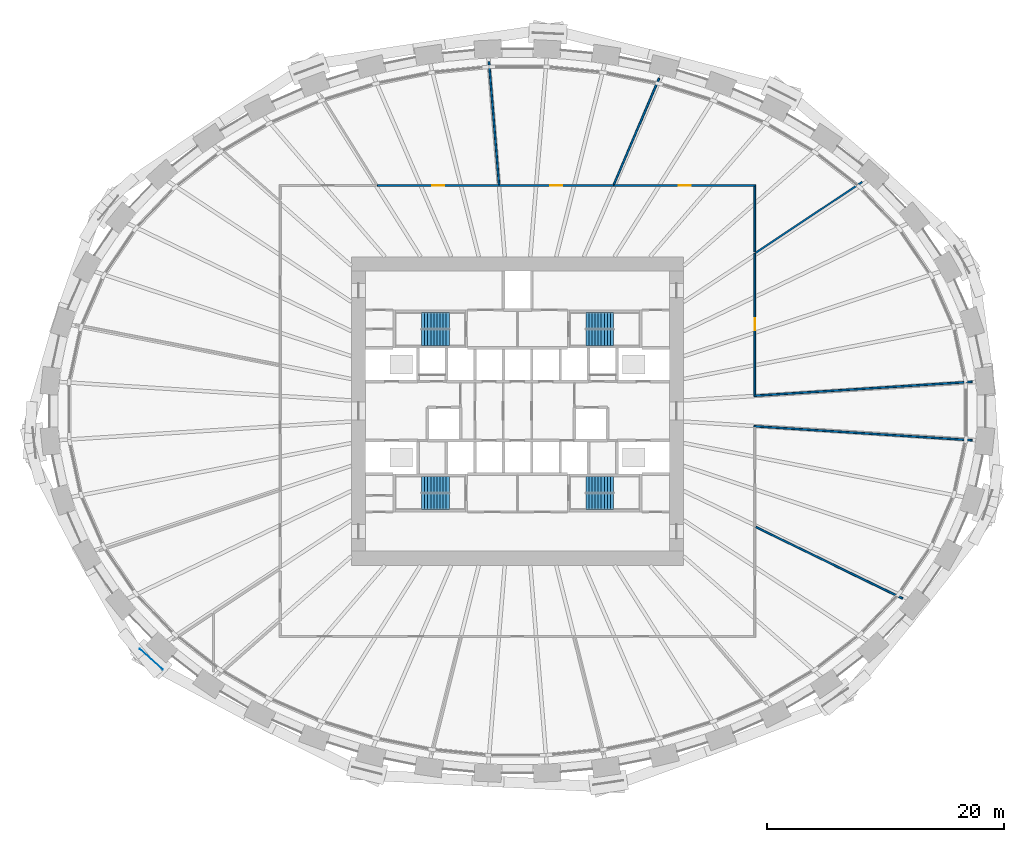
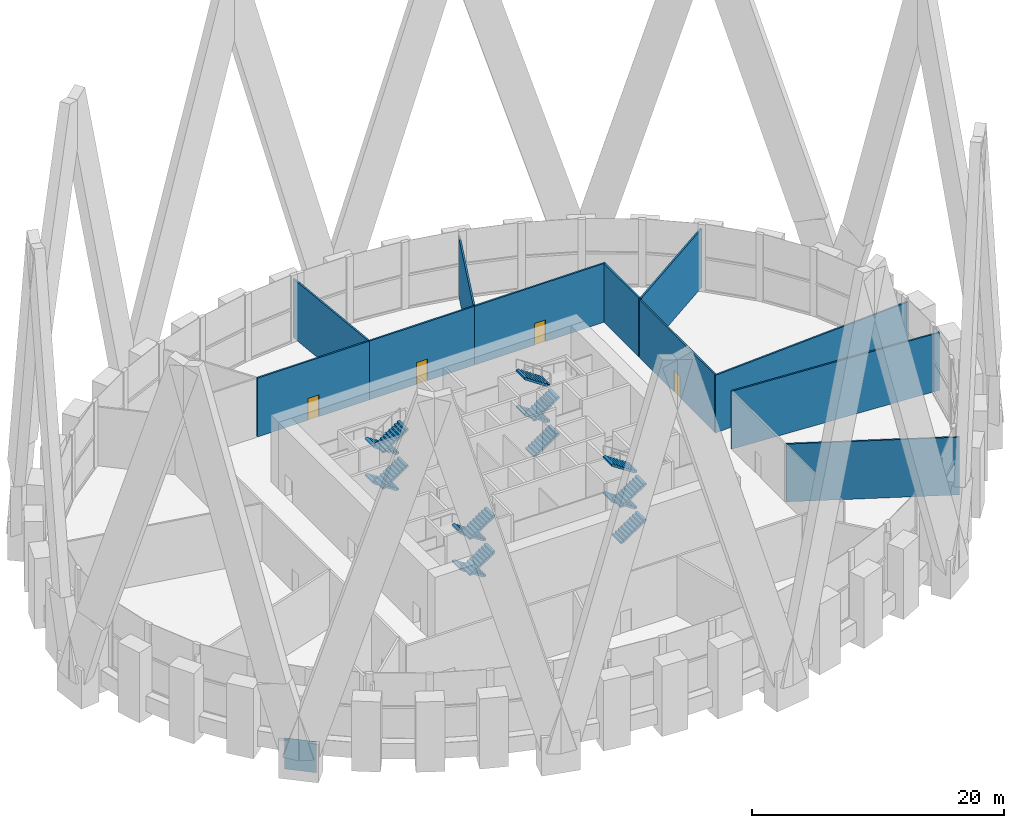
# One storey, part 12 of 17: 16 stair flights, 11 walls, 4 doors, 1 discrete accessory, 4 openings, 4 elements without a shape of their own.
"""IFC4 building model written with IfcOpenShell, lengths in metres."""

from ifc_helpers import new_model, si_unit, direction, frame, frame_2d, origin, origin_2d, place, context, subcontext, project, spatial, polyline, rectangle, outline, extrude, source, transform, mapped, material, layer, layer_set, type_object, element, fill, aggregate, save


model = new_model("IFC4")

# Units and contexts
model_context = context("Model", 3, precision=1e-05, world=origin(), true_north=direction((0.0, 1.0)))
body_context = subcontext(model_context, "Body", "Model", "MODEL_VIEW")
ifc_project = project(units=[si_unit("LENGTHUNIT", "METRE"), si_unit("AREAUNIT", "SQUARE_METRE"), si_unit("VOLUMEUNIT", "CUBIC_METRE"), si_unit("PLANEANGLEUNIT", "RADIAN"), si_unit("MASSUNIT", "GRAM", prefix="KILO")], contexts=[model_context])

# Site, building, storey
site_placement = place(None, origin())
site = spatial("IfcSite", under=ifc_project, at=site_placement, CompositionType="ELEMENT")
building_placement = place(site_placement, origin())
building = spatial("IfcBuilding", under=site, at=building_placement, Name="Embergate Tower", CompositionType="ELEMENT")
storey_placement = place(building_placement, frame((0.0, 0.0, 125.0)))
storey = spatial("IfcBuildingStorey", under=building, at=storey_placement, Name="L27", CompositionType="ELEMENT", Elevation=125.0)

# Wall, opening, door
ifc_material_1 = material(Name="Plasterboard on steel stud", Category="steel")
ifc_layer = layer(ifc_material_1, 0.14990234375)
ifc_layer_set = layer_set([ifc_layer], Name="Plasterboard on steel stud")
wall_type = type_object("IfcWallType", Name="Partition wall 150 board", PredefinedType="PARTITIONING", material=ifc_layer_set)
shared_shape_1 = source(origin(), body_context, "Body", "SweptSolid", [
    extrude(rectangle(XDim=10.256103515625, YDim=0.14990234375, at=frame_2d((5.1279296875, 0.0))), origin(), (0.0, 0.0, 1.0), 5.699951171875),
])
wall_1_placement = place(storey_placement, frame((-11.80908203125, 19.0, 0.0), z_axis=(0.0, 0.0, 1.0), x_axis=(1.0, 0.0, 0.0)))
wall_1 = element("IfcWall", 1, at=wall_1_placement, inside=storey, type_object=wall_type, Name="Partition 016", PredefinedType="PARTITIONING", context=body_context, shape_type="MappedRepresentation", body=[
    mapped(shared_shape_1, transform((0.0, 0.0, 0.0))),
])
shared_shape_2 = source(origin(), body_context, "Body", "SweptSolid", [
    extrude(rectangle(XDim=1.0, YDim=2.10009765625, at=frame_2d((0.5, 1.050048828125))), frame((0.0, 0.0849609375, 0.0), z_axis=(0.0, -1.0, 0.0), x_axis=(1.0, 0.0, 0.0)), (0.0, 0.0, 1.0), 0.169921875),
])
opening_1_placement = place(wall_1_placement, frame((4.6279296875, 0.0, 0.0)))
opening_1 = element("IfcOpeningElement", 2, at=opening_1_placement, cuts=wall_1, Name="Opening DS-107", PredefinedType="OPENING", context=body_context, shape_type="MappedRepresentation", body=[
    mapped(shared_shape_2, transform((0.0, 0.0, 0.0))),
])
ifc_material_2 = material(Name="Timber door leaf, steel frame", Category="steel")
door_type = type_object("IfcDoorType", Name="Single door 1000x2100", OperationType="SINGLE_SWING_LEFT", PredefinedType="DOOR", material=ifc_material_2)
shared_shape_3 = source(origin(), body_context, "Body", "SweptSolid", [
    extrude(rectangle(XDim=1.0, YDim=2.10009765625, at=frame_2d((0.5, 1.050048828125))), frame((0.0, 0.02490234375, 0.0), z_axis=(0.0, -1.0, 0.0), x_axis=(1.0, 0.0, 0.0)), (0.0, 0.0, 1.0), 0.050048828125),
])
door_1_placement = place(opening_1_placement, origin())
door_1 = element("IfcDoor", 3, at=door_1_placement, inside=storey, type_object=door_type, Name="Door to Tenant meeting suite", OperationType="SINGLE_SWING_LEFT", OverallHeight=2.10009765625, OverallWidth=1.0, PredefinedType="DOOR", context=body_context, shape_type="MappedRepresentation", body=[
    mapped(shared_shape_3, transform((0.0, 0.0, 0.0))),
])
fill(opening_1, door_1)

# Wall
shared_shape_4 = source(origin(), body_context, "Body", "SweptSolid", [
    extrude(rectangle(XDim=10.40673828125, YDim=0.14990234375, at=frame_2d((5.203369140625, 0.0))), origin(), (0.0, 0.0, 1.0), 5.699951171875),
])
wall_2_placement = place(storey_placement, frame((-1.55908203125, 19.074951171875, 0.0), z_axis=(0.0, 0.0, 1.0), x_axis=(-0.081476630063, 0.996675252403, 0.0)))
element("IfcWall", 4, at=wall_2_placement, inside=storey, type_object=wall_type, Name="Partition 019", PredefinedType="PARTITIONING", context=body_context, shape_type="MappedRepresentation", body=[
    mapped(shared_shape_4, transform((0.0, 0.0, 0.0))),
])

# Wall, opening, door
shared_shape_5 = source(origin(), body_context, "Body", "SweptSolid", [
    extrude(rectangle(XDim=9.635986328125, YDim=0.14990234375, at=frame_2d((4.81787109375, 0.0))), origin(), (0.0, 0.0, 1.0), 5.699951171875),
])
wall_3_placement = place(storey_placement, frame((-1.552978515625, 19.0, 0.0), z_axis=(0.0, 0.0, 1.0), x_axis=(1.0, 0.0, 0.0)))
wall_3 = element("IfcWall", 5, at=wall_3_placement, inside=storey, type_object=wall_type, Name="Partition 020", PredefinedType="PARTITIONING", context=body_context, shape_type="MappedRepresentation", body=[
    mapped(shared_shape_5, transform((0.0, 0.0, 0.0))),
])
opening_2_placement = place(wall_3_placement, frame((4.318115234375, 0.0, 0.0)))
opening_2 = element("IfcOpeningElement", 6, at=opening_2_placement, cuts=wall_3, Name="Opening DS-106", PredefinedType="OPENING", context=body_context, shape_type="MappedRepresentation", body=[
    mapped(shared_shape_2, transform((0.0, 0.0, 0.0))),
])
door_2_placement = place(opening_2_placement, origin())
door_2 = element("IfcDoor", 7, at=door_2_placement, inside=storey, type_object=door_type, Name="Door to Staff room", OperationType="SINGLE_SWING_LEFT", OverallHeight=2.10009765625, OverallWidth=1.0, PredefinedType="DOOR", context=body_context, shape_type="MappedRepresentation", body=[
    mapped(shared_shape_3, transform((0.0, 0.0, 0.0))),
])
fill(opening_2, door_2)

# Wall
shared_shape_6 = source(origin(), body_context, "Body", "SweptSolid", [
    extrude(rectangle(XDim=9.7353515625, YDim=0.14990234375, at=frame_2d((4.86767578125, 0.0))), origin(), (0.0, 0.0, 1.0), 5.699951171875),
])
wall_4_placement = place(storey_placement, frame((8.1201171875, 19.0869140625, 0.0), z_axis=(0.0, 0.0, 1.0), x_axis=(0.391542062774, 0.92016021055, 0.0)))
element("IfcWall", 8, at=wall_4_placement, inside=storey, type_object=wall_type, Name="Partition 023", PredefinedType="PARTITIONING", context=body_context, shape_type="MappedRepresentation", body=[
    mapped(shared_shape_6, transform((0.0, 0.0, 0.0))),
])

# Wall, opening, door
shared_shape_7 = source(origin(), body_context, "Body", "SweptSolid", [
    extrude(rectangle(XDim=11.991943359375, YDim=0.14990234375, at=frame_2d((5.99609375, 0.0))), origin(), (0.0, 0.0, 1.0), 5.699951171875),
])
wall_5_placement = place(storey_placement, frame((8.0830078125, 19.0, 0.0), z_axis=(0.0, 0.0, 1.0), x_axis=(1.0, 0.0, 0.0)))
wall_5 = element("IfcWall", 9, at=wall_5_placement, inside=storey, type_object=wall_type, Name="Partition 024", PredefinedType="PARTITIONING", context=body_context, shape_type="MappedRepresentation", body=[
    mapped(shared_shape_7, transform((0.0, 0.0, 0.0))),
])
opening_3_placement = place(wall_5_placement, frame((5.49609375, 0.0, 0.0)))
opening_3 = element("IfcOpeningElement", 10, at=opening_3_placement, cuts=wall_5, Name="Opening DS-105", PredefinedType="OPENING", context=body_context, shape_type="MappedRepresentation", body=[
    mapped(shared_shape_2, transform((0.0, 0.0, 0.0))),
])
door_3_placement = place(opening_3_placement, origin())
door_3 = element("IfcDoor", 11, at=door_3_placement, inside=storey, type_object=door_type, Name="Door to Tenant meeting suite", OperationType="SINGLE_SWING_LEFT", OverallHeight=2.10009765625, OverallWidth=1.0, PredefinedType="DOOR", context=body_context, shape_type="MappedRepresentation", body=[
    mapped(shared_shape_3, transform((0.0, 0.0, 0.0))),
])
fill(opening_3, door_3)

# Walls
shared_shape_8 = source(origin(), body_context, "Body", "SweptSolid", [
    extrude(rectangle(XDim=13.7822265625, YDim=0.14990234375, at=frame_2d((6.89111328125, 0.0))), origin(), (0.0, 0.0, 1.0), 5.60009765625),
])
wall_6_placement = place(storey_placement, frame((20.06689453125, -9.77001953125, 0.0), z_axis=(0.0, 0.0, 1.0), x_axis=(0.89913807269, -0.437665084557, 0.0)))
element("IfcWall", 12, at=wall_6_placement, inside=storey, type_object=wall_type, Name="Partition 029", PredefinedType="PARTITIONING", context=body_context, shape_type="MappedRepresentation", body=[
    mapped(shared_shape_8, transform((0.0, 0.0, 0.0))),
])
shared_shape_9 = source(origin(), body_context, "Body", "SweptSolid", [
    extrude(rectangle(XDim=18.425048828125, YDim=0.14990234375, at=frame_2d((9.21240234375, 0.0))), origin(), (0.0, 0.0, 1.0), 5.60009765625),
])
for number, where, z_axis, x_axis, name in (
    (13, (19.925048828125, -1.281982421875, 0.0), (0.0, 0.0, 1.0), (0.997936279329, -0.064212011334, 0.0), "Partition 031"),
    (14, (38.31201171875, 2.465087890625, 0.0), (0.0, 0.0, 1.0), (-0.997936279329, -0.064212011334, 0.0), "Partition 035"),
):
    element("IfcWall", number, at=place(storey_placement, frame(where, z_axis=z_axis, x_axis=x_axis)), inside=storey, type_object=wall_type, Name=name, PredefinedType="PARTITIONING", context=body_context, shape_type="MappedRepresentation", body=[
        mapped(shared_shape_9, transform((0.0, 0.0, 0.0))),
    ])

# Wall, opening, door
shared_shape_10 = source(origin(), body_context, "Body", "SweptSolid", [
    extrude(rectangle(XDim=11.929931640625, YDim=0.14990234375, at=frame_2d((5.96484375, 0.0))), origin(), (0.0, 0.0, 1.0), 5.60009765625),
])
wall_7_placement = place(storey_placement, frame((20.0, 13.2919921875, 0.0), z_axis=(0.0, 0.0, 1.0), x_axis=(0.0, -1.0, 0.0)))
wall_7 = element("IfcWall", 15, at=wall_7_placement, inside=storey, type_object=wall_type, Name="Partition 032", PredefinedType="PARTITIONING", context=body_context, shape_type="MappedRepresentation", body=[
    mapped(shared_shape_10, transform((0.0, 0.0, 0.0))),
])
opening_4_placement = place(wall_7_placement, frame((5.465087890625, 0.0, 0.0)))
opening_4 = element("IfcOpeningElement", 16, at=opening_4_placement, cuts=wall_7, Name="Opening DS-104", PredefinedType="OPENING", context=body_context, shape_type="MappedRepresentation", body=[
    mapped(shared_shape_2, transform((0.0, 0.0, 0.0))),
])
door_4_placement = place(opening_4_placement, origin())
door_4 = element("IfcDoor", 17, at=door_4_placement, inside=storey, type_object=door_type, Name="Door to Business centre", OperationType="SINGLE_SWING_LEFT", OverallHeight=2.10009765625, OverallWidth=1.0, PredefinedType="DOOR", context=body_context, shape_type="MappedRepresentation", body=[
    mapped(shared_shape_3, transform((0.0, 0.0, 0.0))),
])
fill(opening_4, door_4)

# Walls
shared_shape_11 = source(origin(), body_context, "Body", "SweptSolid", [
    extrude(rectangle(XDim=10.80029296875, YDim=0.14990234375, at=frame_2d((5.400146484375, 0.0))), origin(), (0.0, 0.0, 1.0), 5.699951171875),
])
wall_8_placement = place(storey_placement, frame((20.06201171875, 13.333984375, 0.0), z_axis=(0.0, 0.0, 1.0), x_axis=(0.832842364145, 0.553510249666, 0.0)))
element("IfcWall", 18, at=wall_8_placement, inside=storey, type_object=wall_type, Name="Partition 033", PredefinedType="PARTITIONING", context=body_context, shape_type="MappedRepresentation", body=[
    mapped(shared_shape_11, transform((0.0, 0.0, 0.0))),
])
shared_shape_12 = source(origin(), body_context, "Body", "SweptSolid", [
    extrude(rectangle(XDim=5.512939453125, YDim=0.14990234375, at=frame_2d((2.75634765625, 0.0))), origin(), (0.0, 0.0, 1.0), 5.699951171875),
])
wall_9_placement = place(storey_placement, frame((20.0, 18.925048828125, 0.0), z_axis=(0.0, 0.0, 1.0), x_axis=(0.0, -1.0, 0.0)))
element("IfcWall", 19, at=wall_9_placement, inside=storey, type_object=wall_type, Name="Partition 034", PredefinedType="PARTITIONING", context=body_context, shape_type="MappedRepresentation", body=[
    mapped(shared_shape_12, transform((0.0, 0.0, 0.0))),
])

# Stair, stair flights
ifc_material_3 = material(Name="Exit stair")
stair_type = type_object("IfcStairType", Name="Exit stair", PredefinedType="HALF_TURN_STAIR", material=ifc_material_3)
stair_1_placement = place(storey_placement, origin())
stair_1 = element("IfcStair", 20, at=stair_1_placement, inside=storey, type_object=stair_type, Name="L27 Exit stair 1", PredefinedType="HALF_TURN_STAIR")
ifc_material_4 = material(Name="Concrete C40", Category="concrete")
stair_flight_type = type_object("IfcStairFlightType", Name="Stair flight reinforced concrete", PredefinedType="STRAIGHT", material=ifc_material_4)
shared_shape_13 = source(origin(), body_context, "Body", "SweptSolid", [
    extrude(outline(polyline([(0.0, 0.0), (0.0, 0.175048828125), (0.260009765625, 0.175048828125), (0.260009765625, 0.35009765625), (0.52001953125, 0.35009765625), (0.52001953125, 0.52490234375), (0.780029296875, 0.52490234375), (0.780029296875, 0.699951171875), (1.0400390625, 0.699951171875), (1.0400390625, 0.875), (1.300048828125, 0.875), (1.300048828125, 1.050048828125), (1.56005859375, 1.050048828125), (1.56005859375, 1.22509765625), (1.820068359375, 1.22509765625), (1.820068359375, 1.39990234375), (2.080078125, 1.39990234375), (2.080078125, 1.574951171875), (2.340087890625, 1.574951171875), (2.340087890625, 1.75), (2.340087890625, 1.394287109375), (0.2685546875, 0.0), (0.0, 0.0)])), frame((0.0, 0.675048828125, 0.0), z_axis=(0.0, -1.0, 0.0), x_axis=(1.0, 0.0, 0.0)), (0.0, 0.0, 1.0), 1.35009765625),
])
stair_flight_1_placement = place(storey_placement, frame((-5.75, 7.625, 0.0), z_axis=(0.0, 0.0, 1.0), x_axis=(-1.0, 0.0, 0.0)))
stair_flight_1 = element("IfcStairFlight", 21, at=stair_flight_1_placement, type_object=stair_flight_type, Name="ST1 flight 1", NumberOfRisers=10, NumberOfTreads=9, PredefinedType="STRAIGHT", RiserHeight=0.175, TreadLength=0.26, context=body_context, shape_type="MappedRepresentation", body=[
    mapped(shared_shape_13, transform((0.0, 0.0, 0.0))),
])
stair_flight_2_placement = place(storey_placement, frame((-8.090087890625, 6.175048828125, 1.75), z_axis=(0.0, 0.0, 1.0), x_axis=(1.0, 0.0, 0.0)))
stair_flight_2 = element("IfcStairFlight", 22, at=stair_flight_2_placement, type_object=stair_flight_type, Name="ST1 flight 2", NumberOfRisers=10, NumberOfTreads=9, PredefinedType="STRAIGHT", RiserHeight=0.175, TreadLength=0.26, context=body_context, shape_type="MappedRepresentation", body=[
    mapped(shared_shape_13, transform((0.0, 0.0, 0.0))),
])
stair_flight_3_placement = place(storey_placement, frame((-5.75, 7.625, 3.5), z_axis=(0.0, 0.0, 1.0), x_axis=(-1.0, 0.0, 0.0)))
stair_flight_3 = element("IfcStairFlight", 23, at=stair_flight_3_placement, type_object=stair_flight_type, Name="ST1 flight 3", NumberOfRisers=10, NumberOfTreads=9, PredefinedType="STRAIGHT", RiserHeight=0.175, TreadLength=0.26, context=body_context, shape_type="MappedRepresentation", body=[
    mapped(shared_shape_13, transform((0.0, 0.0, 0.0))),
])
stair_flight_4_placement = place(storey_placement, frame((-8.090087890625, 6.175048828125, 5.25), z_axis=(0.0, 0.0, 1.0), x_axis=(1.0, 0.0, 0.0)))
stair_flight_4 = element("IfcStairFlight", 24, at=stair_flight_4_placement, type_object=stair_flight_type, Name="ST1 flight 4", NumberOfRisers=10, NumberOfTreads=9, PredefinedType="STRAIGHT", RiserHeight=0.175, TreadLength=0.26, context=body_context, shape_type="MappedRepresentation", body=[
    mapped(shared_shape_13, transform((0.0, 0.0, 0.0))),
])
aggregate(stair_1, [stair_flight_1, stair_flight_2, stair_flight_3, stair_flight_4])

stair_2_placement = place(storey_placement, origin())
stair_2 = element("IfcStair", 25, at=stair_2_placement, inside=storey, type_object=stair_type, Name="L27 Exit stair 2", PredefinedType="HALF_TURN_STAIR")
stair_flight_5_placement = place(storey_placement, frame((5.75, 6.175048828125, 0.0), z_axis=(0.0, 0.0, 1.0), x_axis=(1.0, 0.0, 0.0)))
stair_flight_5 = element("IfcStairFlight", 26, at=stair_flight_5_placement, type_object=stair_flight_type, Name="ST2 flight 1", NumberOfRisers=10, NumberOfTreads=9, PredefinedType="STRAIGHT", RiserHeight=0.175, TreadLength=0.26, context=body_context, shape_type="MappedRepresentation", body=[
    mapped(shared_shape_13, transform((0.0, 0.0, 0.0))),
])
stair_flight_6_placement = place(storey_placement, frame((8.090087890625, 7.625, 1.75), z_axis=(0.0, 0.0, 1.0), x_axis=(-1.0, 0.0, 0.0)))
stair_flight_6 = element("IfcStairFlight", 27, at=stair_flight_6_placement, type_object=stair_flight_type, Name="ST2 flight 2", NumberOfRisers=10, NumberOfTreads=9, PredefinedType="STRAIGHT", RiserHeight=0.175, TreadLength=0.26, context=body_context, shape_type="MappedRepresentation", body=[
    mapped(shared_shape_13, transform((0.0, 0.0, 0.0))),
])
stair_flight_7_placement = place(storey_placement, frame((5.75, 6.175048828125, 3.5), z_axis=(0.0, 0.0, 1.0), x_axis=(1.0, 0.0, 0.0)))
stair_flight_7 = element("IfcStairFlight", 28, at=stair_flight_7_placement, type_object=stair_flight_type, Name="ST2 flight 3", NumberOfRisers=10, NumberOfTreads=9, PredefinedType="STRAIGHT", RiserHeight=0.175, TreadLength=0.26, context=body_context, shape_type="MappedRepresentation", body=[
    mapped(shared_shape_13, transform((0.0, 0.0, 0.0))),
])
stair_flight_8_placement = place(storey_placement, frame((8.090087890625, 7.625, 5.25), z_axis=(0.0, 0.0, 1.0), x_axis=(-1.0, 0.0, 0.0)))
stair_flight_8 = element("IfcStairFlight", 29, at=stair_flight_8_placement, type_object=stair_flight_type, Name="ST2 flight 4", NumberOfRisers=10, NumberOfTreads=9, PredefinedType="STRAIGHT", RiserHeight=0.175, TreadLength=0.26, context=body_context, shape_type="MappedRepresentation", body=[
    mapped(shared_shape_13, transform((0.0, 0.0, 0.0))),
])
aggregate(stair_2, [stair_flight_5, stair_flight_6, stair_flight_7, stair_flight_8])

stair_3_placement = place(storey_placement, origin())
stair_3 = element("IfcStair", 30, at=stair_3_placement, inside=storey, type_object=stair_type, Name="L27 Exit stair 3", PredefinedType="HALF_TURN_STAIR")
stair_flight_9_placement = place(storey_placement, frame((-5.75, -6.175048828125, 0.0), z_axis=(0.0, 0.0, 1.0), x_axis=(-1.0, 0.0, 0.0)))
stair_flight_9 = element("IfcStairFlight", 31, at=stair_flight_9_placement, type_object=stair_flight_type, Name="ST3 flight 1", NumberOfRisers=10, NumberOfTreads=9, PredefinedType="STRAIGHT", RiserHeight=0.175, TreadLength=0.26, context=body_context, shape_type="MappedRepresentation", body=[
    mapped(shared_shape_13, transform((0.0, 0.0, 0.0))),
])
stair_flight_10_placement = place(storey_placement, frame((-8.090087890625, -7.625, 1.75), z_axis=(0.0, 0.0, 1.0), x_axis=(1.0, 0.0, 0.0)))
stair_flight_10 = element("IfcStairFlight", 32, at=stair_flight_10_placement, type_object=stair_flight_type, Name="ST3 flight 2", NumberOfRisers=10, NumberOfTreads=9, PredefinedType="STRAIGHT", RiserHeight=0.175, TreadLength=0.26, context=body_context, shape_type="MappedRepresentation", body=[
    mapped(shared_shape_13, transform((0.0, 0.0, 0.0))),
])
stair_flight_11_placement = place(storey_placement, frame((-5.75, -6.175048828125, 3.5), z_axis=(0.0, 0.0, 1.0), x_axis=(-1.0, 0.0, 0.0)))
stair_flight_11 = element("IfcStairFlight", 33, at=stair_flight_11_placement, type_object=stair_flight_type, Name="ST3 flight 3", NumberOfRisers=10, NumberOfTreads=9, PredefinedType="STRAIGHT", RiserHeight=0.175, TreadLength=0.26, context=body_context, shape_type="MappedRepresentation", body=[
    mapped(shared_shape_13, transform((0.0, 0.0, 0.0))),
])
stair_flight_12_placement = place(storey_placement, frame((-8.090087890625, -7.625, 5.25), z_axis=(0.0, 0.0, 1.0), x_axis=(1.0, 0.0, 0.0)))
stair_flight_12 = element("IfcStairFlight", 34, at=stair_flight_12_placement, type_object=stair_flight_type, Name="ST3 flight 4", NumberOfRisers=10, NumberOfTreads=9, PredefinedType="STRAIGHT", RiserHeight=0.175, TreadLength=0.26, context=body_context, shape_type="MappedRepresentation", body=[
    mapped(shared_shape_13, transform((0.0, 0.0, 0.0))),
])
aggregate(stair_3, [stair_flight_9, stair_flight_10, stair_flight_11, stair_flight_12])

stair_4_placement = place(storey_placement, origin())
stair_4 = element("IfcStair", 35, at=stair_4_placement, inside=storey, type_object=stair_type, Name="L27 Exit stair 4", PredefinedType="HALF_TURN_STAIR")
stair_flight_13_placement = place(storey_placement, frame((5.75, -7.625, 0.0), z_axis=(0.0, 0.0, 1.0), x_axis=(1.0, 0.0, 0.0)))
stair_flight_13 = element("IfcStairFlight", 36, at=stair_flight_13_placement, type_object=stair_flight_type, Name="ST4 flight 1", NumberOfRisers=10, NumberOfTreads=9, PredefinedType="STRAIGHT", RiserHeight=0.175, TreadLength=0.26, context=body_context, shape_type="MappedRepresentation", body=[
    mapped(shared_shape_13, transform((0.0, 0.0, 0.0))),
])
stair_flight_14_placement = place(storey_placement, frame((8.090087890625, -6.175048828125, 1.75), z_axis=(0.0, 0.0, 1.0), x_axis=(-1.0, 0.0, 0.0)))
stair_flight_14 = element("IfcStairFlight", 37, at=stair_flight_14_placement, type_object=stair_flight_type, Name="ST4 flight 2", NumberOfRisers=10, NumberOfTreads=9, PredefinedType="STRAIGHT", RiserHeight=0.175, TreadLength=0.26, context=body_context, shape_type="MappedRepresentation", body=[
    mapped(shared_shape_13, transform((0.0, 0.0, 0.0))),
])
stair_flight_15_placement = place(storey_placement, frame((5.75, -7.625, 3.5), z_axis=(0.0, 0.0, 1.0), x_axis=(1.0, 0.0, 0.0)))
stair_flight_15 = element("IfcStairFlight", 38, at=stair_flight_15_placement, type_object=stair_flight_type, Name="ST4 flight 3", NumberOfRisers=10, NumberOfTreads=9, PredefinedType="STRAIGHT", RiserHeight=0.175, TreadLength=0.26, context=body_context, shape_type="MappedRepresentation", body=[
    mapped(shared_shape_13, transform((0.0, 0.0, 0.0))),
])
stair_flight_16_placement = place(storey_placement, frame((8.090087890625, -6.175048828125, 5.25), z_axis=(0.0, 0.0, 1.0), x_axis=(-1.0, 0.0, 0.0)))
stair_flight_16 = element("IfcStairFlight", 39, at=stair_flight_16_placement, type_object=stair_flight_type, Name="ST4 flight 4", NumberOfRisers=10, NumberOfTreads=9, PredefinedType="STRAIGHT", RiserHeight=0.175, TreadLength=0.26, context=body_context, shape_type="MappedRepresentation", body=[
    mapped(shared_shape_13, transform((0.0, 0.0, 0.0))),
])
aggregate(stair_4, [stair_flight_13, stair_flight_14, stair_flight_15, stair_flight_16])

# Discrete accessory
ifc_material_5 = material(Name="Steel Q355D plate", Category="steel")
discrete_accessory_type = type_object("IfcDiscreteAccessoryType", Name="Lattice node plate", PredefinedType="USERDEFINED", material=ifc_material_5)
shared_shape_14 = source(origin(), body_context, "Body", "SweptSolid", [
    extrude(rectangle(XDim=2.60009765625, YDim=0.050048828125, at=origin_2d()), origin(), (0.0, 0.0, 1.0), 3.0),
])
discrete_accessory_placement = place(storey_placement, frame((-30.868896484375, -20.9189453125, -1.5), z_axis=(0.0, 0.0, 1.0), x_axis=(0.74307475021, -0.669208424634, 0.0)))
element("IfcDiscreteAccessory", 40, at=discrete_accessory_placement, inside=storey, type_object=discrete_accessory_type, Name="Node plate", ObjectType="BRACKET", PredefinedType="USERDEFINED", context=body_context, shape_type="MappedRepresentation", body=[
    mapped(shared_shape_14, transform((0.0, 0.0, 0.0))),
])

save(model, "model.ifc")
